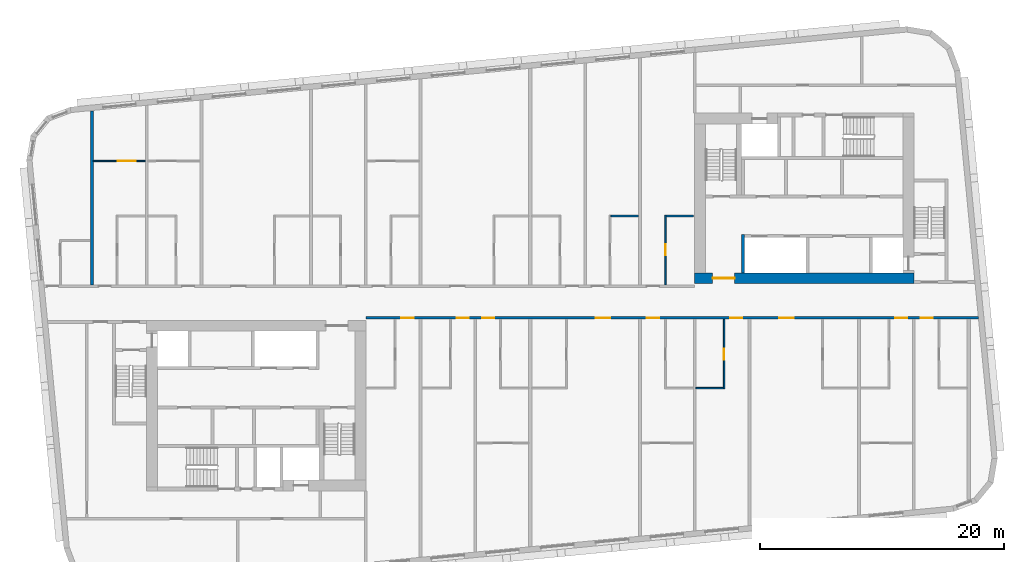
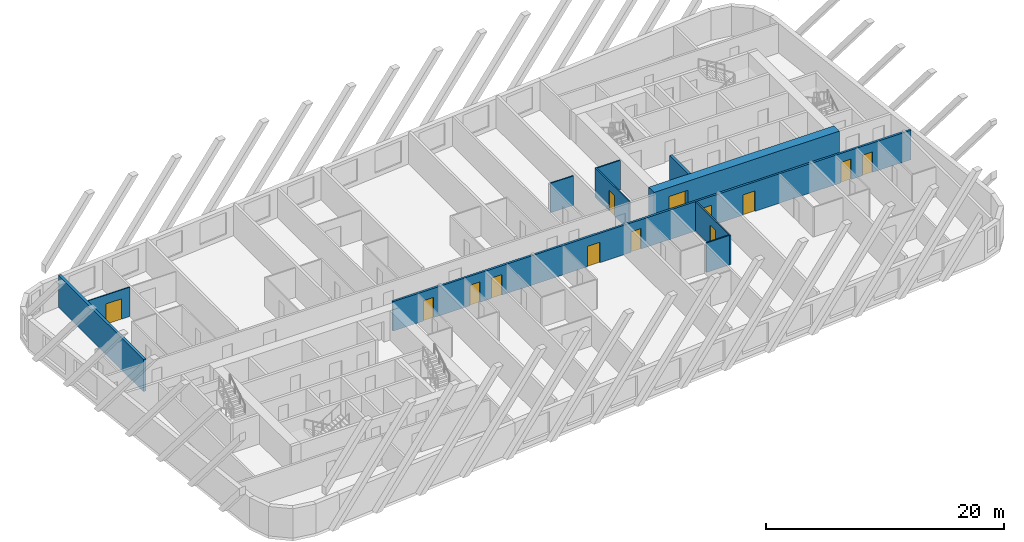
# One storey, part 5 of 13: 13 doors, 10 walls, 13 openings.
"""IFC4 building model written with IfcOpenShell, lengths in metres."""

from ifc_helpers import new_model, si_unit, direction, frame, frame_2d, origin, place, context, subcontext, project, spatial, rectangle, extrude, material, layer, layer_set, type_object, element, fill, save


model = new_model("IFC4")

# Units and contexts
model_context = context("Model", 3, precision=1e-05, world=origin(), true_north=direction((0.0, 1.0)))
body_context = subcontext(model_context, "Body", "Model", "MODEL_VIEW")
ifc_project = project(units=[si_unit("LENGTHUNIT", "METRE"), si_unit("AREAUNIT", "SQUARE_METRE"), si_unit("VOLUMEUNIT", "CUBIC_METRE"), si_unit("PLANEANGLEUNIT", "RADIAN"), si_unit("MASSUNIT", "GRAM", prefix="KILO")], contexts=[model_context])

# Site, building, storey
site_placement = place(None, origin())
site = spatial("IfcSite", under=ifc_project, at=site_placement, CompositionType="ELEMENT")
building_placement = place(site_placement, origin())
building = spatial("IfcBuilding", under=site, at=building_placement, Name="Kajstack Hotel Tower", CompositionType="ELEMENT")
storey_placement = place(building_placement, frame((0.0, 0.0, 298.199951171875)))
storey = spatial("IfcBuildingStorey", under=building, at=storey_placement, Name="L75", CompositionType="ELEMENT", Elevation=298.199951171875)

# Wall, opening, door
ifc_material_1 = material(Name="Concrete C60/75", Category="concrete")
ifc_layer_1 = layer(ifc_material_1, 0.89990234375)
ifc_layer_set_1 = layer_set([ifc_layer_1], Name="Core wall 900")
wall_type_1 = type_object("IfcWallType", Name="Core wall 900", PredefinedType="SHEAR", material=ifc_layer_set_1)
wall_1_placement = place(storey_placement, frame((13.5, 1.949951171875, 0.0), z_axis=(0.0, 0.0, 1.0), x_axis=(1.0, 0.0, 0.0)))
wall_1 = element("IfcWall", 1, at=wall_1_placement, inside=storey, type_object=wall_type_1, Name="Core wall E RN", PredefinedType="SHEAR", context=body_context, shape_type="SweptSolid", body=[
    extrude(rectangle(XDim=18.0, YDim=0.89990234375, at=frame_2d((9.0, 0.0))), origin(), (0.0, 0.0, 1.0), 3.02001953125),
])
opening_1_placement = place(wall_1_placement, frame((1.47509765625, 0.0, 0.0)))
opening_1 = element("IfcOpeningElement", 2, at=opening_1_placement, cuts=wall_1, Name="Opening 75E05", PredefinedType="OPENING", context=body_context, shape_type="SweptSolid", body=[
    extrude(rectangle(XDim=1.800048828125, YDim=2.10009765625, at=frame_2d((0.89990234375, 1.050048828125))), frame((0.0, 0.4599609375, 0.0), z_axis=(0.0, -1.0, 0.0), x_axis=(1.0, 0.0, 0.0)), (0.0, 0.0, 1.0), 0.919921875),
])
ifc_material_2 = material(Name="Glazed steel frame, fire-rated glass", Category="steel")
door_type_1 = type_object("IfcDoorType", Name="Lobby double door 1800", OperationType="DOUBLE_DOOR_DOUBLE_SWING", PredefinedType="DOOR", material=ifc_material_2)
door_1_placement = place(opening_1_placement, origin())
door_1 = element("IfcDoor", 3, at=door_1_placement, inside=storey, type_object=door_type_1, Name="Door 75E05", OperationType="DOUBLE_DOOR_DOUBLE_SWING", OverallHeight=2.10009765625, OverallWidth=1.800048828125, PredefinedType="DOOR", context=body_context, shape_type="SweptSolid", body=[
    extrude(rectangle(XDim=1.800048828125, YDim=2.10009765625, at=frame_2d((0.89990234375, 1.050048828125))), frame((0.0, 0.02490234375, 0.0), z_axis=(0.0, -1.0, 0.0), x_axis=(1.0, 0.0, 0.0)), (0.0, 0.0, 1.0), 0.050048828125),
])
fill(opening_1, door_1)

# Wall, openings, doors
ifc_material_3 = material(Name="Gypsum board on steel studs, mineral wool", Category="steel")
ifc_layer_2 = layer(ifc_material_3, 0.199951171875)
ifc_layer_set_2 = layer_set([ifc_layer_2], Name="Corridor wall 200")
wall_type_2 = type_object("IfcWallType", Name="Corridor wall 200", PredefinedType="PARTITIONING", material=ifc_layer_set_2)
wall_2_placement = place(storey_placement, frame((-13.5, -1.300048828125, 0.0), z_axis=(0.0, 0.0, 1.0), x_axis=(1.0, 0.0, 0.0)))
wall_2 = element("IfcWall", 4, at=wall_2_placement, inside=storey, type_object=wall_type_2, Name="G-wall-L75-030", PredefinedType="PARTITIONING", context=body_context, shape_type="SweptSolid", body=[
    extrude(rectangle(XDim=50.29296875, YDim=0.199951171875, at=frame_2d((25.146484375, 0.0))), origin(), (0.0, 0.0, 1.0), 3.02001953125),
])
opening_2_placement = place(wall_2_placement, frame((2.925048828125, 0.0, 0.0)))
opening_2 = element("IfcOpeningElement", 5, at=opening_2_placement, cuts=wall_2, Name="Opening 75024", PredefinedType="OPENING", context=body_context, shape_type="SweptSolid", body=[
    extrude(rectangle(XDim=1.0, YDim=2.10009765625, at=frame_2d((0.5, 1.050048828125))), frame((0.0, 0.10986328125, 0.0), z_axis=(0.0, -1.0, 0.0), x_axis=(1.0, 0.0, 0.0)), (0.0, 0.0, 1.0), 0.219970703125),
])
opening_3_placement = place(wall_2_placement, frame((7.449951171875, 0.0, 0.0)))
opening_3 = element("IfcOpeningElement", 6, at=opening_3_placement, cuts=wall_2, Name="Opening 75026", PredefinedType="OPENING", context=body_context, shape_type="SweptSolid", body=[
    extrude(rectangle(XDim=1.0, YDim=2.10009765625, at=frame_2d((0.5, 1.050048828125))), frame((0.0, 0.10986328125, 0.0), z_axis=(0.0, -1.0, 0.0), x_axis=(1.0, 0.0, 0.0)), (0.0, 0.0, 1.0), 0.219970703125),
])
opening_4_placement = place(wall_2_placement, frame((9.550048828125, 0.0, 0.0)))
opening_4 = element("IfcOpeningElement", 7, at=opening_4_placement, cuts=wall_2, Name="Opening 75028", PredefinedType="OPENING", context=body_context, shape_type="SweptSolid", body=[
    extrude(rectangle(XDim=1.0, YDim=2.10009765625, at=frame_2d((0.5, 1.050048828125))), frame((0.0, 0.10986328125, 0.0), z_axis=(0.0, -1.0, 0.0), x_axis=(1.0, 0.0, 0.0)), (0.0, 0.0, 1.0), 0.219970703125),
])
opening_5_placement = place(wall_2_placement, frame((18.862060546875, 0.0, 0.0)))
opening_5 = element("IfcOpeningElement", 8, at=opening_5_placement, cuts=wall_2, Name="Opening 75031", PredefinedType="OPENING", context=body_context, shape_type="SweptSolid", body=[
    extrude(rectangle(XDim=1.199951171875, YDim=2.10009765625, at=frame_2d((0.60009765625, 1.050048828125))), frame((0.0, 0.10986328125, 0.0), z_axis=(0.0, -1.0, 0.0), x_axis=(1.0, 0.0, 0.0)), (0.0, 0.0, 1.0), 0.219970703125),
])
opening_6_placement = place(wall_2_placement, frame((23.074951171875, 0.0, 0.0)))
opening_6 = element("IfcOpeningElement", 9, at=opening_6_placement, cuts=wall_2, Name="Opening 75033", PredefinedType="OPENING", context=body_context, shape_type="SweptSolid", body=[
    extrude(rectangle(XDim=1.0, YDim=2.10009765625, at=frame_2d((0.5, 1.050048828125))), frame((0.0, 0.10986328125, 0.0), z_axis=(0.0, -1.0, 0.0), x_axis=(1.0, 0.0, 0.0)), (0.0, 0.0, 1.0), 0.219970703125),
])
opening_7_placement = place(wall_2_placement, frame((29.925048828125, 0.0, 0.0)))
opening_7 = element("IfcOpeningElement", 10, at=opening_7_placement, cuts=wall_2, Name="Opening 75036", PredefinedType="OPENING", context=body_context, shape_type="SweptSolid", body=[
    extrude(rectangle(XDim=1.0, YDim=2.10009765625, at=frame_2d((0.5, 1.050048828125))), frame((0.0, 0.10986328125, 0.0), z_axis=(0.0, -1.0, 0.0), x_axis=(1.0, 0.0, 0.0)), (0.0, 0.0, 1.0), 0.219970703125),
])
opening_8_placement = place(wall_2_placement, frame((33.93798828125, 0.0, 0.0)))
opening_8 = element("IfcOpeningElement", 11, at=opening_8_placement, cuts=wall_2, Name="Opening 75038", PredefinedType="OPENING", context=body_context, shape_type="SweptSolid", body=[
    extrude(rectangle(XDim=1.199951171875, YDim=2.10009765625, at=frame_2d((0.60009765625, 1.050048828125))), frame((0.0, 0.10986328125, 0.0), z_axis=(0.0, -1.0, 0.0), x_axis=(1.0, 0.0, 0.0)), (0.0, 0.0, 1.0), 0.219970703125),
])
opening_9_placement = place(wall_2_placement, frame((43.449951171875, 0.0, 0.0)))
opening_9 = element("IfcOpeningElement", 12, at=opening_9_placement, cuts=wall_2, Name="Opening 75040", PredefinedType="OPENING", context=body_context, shape_type="SweptSolid", body=[
    extrude(rectangle(XDim=1.0, YDim=2.10009765625, at=frame_2d((0.5, 1.050048828125))), frame((0.0, 0.10986328125, 0.0), z_axis=(0.0, -1.0, 0.0), x_axis=(1.0, 0.0, 0.0)), (0.0, 0.0, 1.0), 0.219970703125),
])
opening_10_placement = place(wall_2_placement, frame((45.550048828125, 0.0, 0.0)))
opening_10 = element("IfcOpeningElement", 13, at=opening_10_placement, cuts=wall_2, Name="Opening 75043", PredefinedType="OPENING", context=body_context, shape_type="SweptSolid", body=[
    extrude(rectangle(XDim=1.0, YDim=2.10009765625, at=frame_2d((0.5, 1.050048828125))), frame((0.0, 0.10986328125, 0.0), z_axis=(0.0, -1.0, 0.0), x_axis=(1.0, 0.0, 0.0)), (0.0, 0.0, 1.0), 0.219970703125),
])
ifc_material_4 = material(Name="Oak veneer on timber core, fire-rated leaf", Category="wood")
door_type_2 = type_object("IfcDoorType", Name="Flat entrance door 1000", OperationType="SINGLE_SWING_LEFT", PredefinedType="DOOR", material=ifc_material_4)
door_2_placement = place(opening_2_placement, origin())
door_2 = element("IfcDoor", 14, at=door_2_placement, inside=storey, type_object=door_type_2, Name="G-door-L75-24", OperationType="SINGLE_SWING_RIGHT", OverallHeight=2.10009765625, OverallWidth=1.0, PredefinedType="DOOR", context=body_context, shape_type="SweptSolid", body=[
    extrude(rectangle(XDim=1.0, YDim=2.10009765625, at=frame_2d((0.5, 1.050048828125))), frame((0.0, 0.02490234375, 0.0), z_axis=(0.0, -1.0, 0.0), x_axis=(1.0, 0.0, 0.0)), (0.0, 0.0, 1.0), 0.050048828125),
])
fill(opening_2, door_2)
door_3_placement = place(opening_3_placement, origin())
door_3 = element("IfcDoor", 15, at=door_3_placement, inside=storey, type_object=door_type_2, Name="G-door-L75-26", OperationType="SINGLE_SWING_LEFT", OverallHeight=2.10009765625, OverallWidth=1.0, PredefinedType="DOOR", context=body_context, shape_type="SweptSolid", body=[
    extrude(rectangle(XDim=1.0, YDim=2.10009765625, at=frame_2d((0.5, 1.050048828125))), frame((0.0, 0.02490234375, 0.0), z_axis=(0.0, -1.0, 0.0), x_axis=(1.0, 0.0, 0.0)), (0.0, 0.0, 1.0), 0.050048828125),
])
fill(opening_3, door_3)
door_4_placement = place(opening_4_placement, origin())
door_4 = element("IfcDoor", 16, at=door_4_placement, inside=storey, type_object=door_type_2, Name="G-door-L75-28", OperationType="SINGLE_SWING_LEFT", OverallHeight=2.10009765625, OverallWidth=1.0, PredefinedType="DOOR", context=body_context, shape_type="SweptSolid", body=[
    extrude(rectangle(XDim=1.0, YDim=2.10009765625, at=frame_2d((0.5, 1.050048828125))), frame((0.0, 0.02490234375, 0.0), z_axis=(0.0, -1.0, 0.0), x_axis=(1.0, 0.0, 0.0)), (0.0, 0.0, 1.0), 0.050048828125),
])
fill(opening_4, door_4)
door_5_placement = place(opening_6_placement, origin())
door_5 = element("IfcDoor", 17, at=door_5_placement, inside=storey, type_object=door_type_2, Name="G-door-L75-33", OperationType="SINGLE_SWING_LEFT", OverallHeight=2.10009765625, OverallWidth=1.0, PredefinedType="DOOR", context=body_context, shape_type="SweptSolid", body=[
    extrude(rectangle(XDim=1.0, YDim=2.10009765625, at=frame_2d((0.5, 1.050048828125))), frame((0.0, 0.02490234375, 0.0), z_axis=(0.0, -1.0, 0.0), x_axis=(1.0, 0.0, 0.0)), (0.0, 0.0, 1.0), 0.050048828125),
])
fill(opening_6, door_5)
door_6_placement = place(opening_7_placement, origin())
door_6 = element("IfcDoor", 18, at=door_6_placement, inside=storey, type_object=door_type_2, Name="G-door-L75-36", OperationType="SINGLE_SWING_LEFT", OverallHeight=2.10009765625, OverallWidth=1.0, PredefinedType="DOOR", context=body_context, shape_type="SweptSolid", body=[
    extrude(rectangle(XDim=1.0, YDim=2.10009765625, at=frame_2d((0.5, 1.050048828125))), frame((0.0, 0.02490234375, 0.0), z_axis=(0.0, -1.0, 0.0), x_axis=(1.0, 0.0, 0.0)), (0.0, 0.0, 1.0), 0.050048828125),
])
fill(opening_7, door_6)
door_7_placement = place(opening_9_placement, origin())
door_7 = element("IfcDoor", 19, at=door_7_placement, inside=storey, type_object=door_type_2, Name="G-door-L75-40", OperationType="SINGLE_SWING_LEFT", OverallHeight=2.10009765625, OverallWidth=1.0, PredefinedType="DOOR", context=body_context, shape_type="SweptSolid", body=[
    extrude(rectangle(XDim=1.0, YDim=2.10009765625, at=frame_2d((0.5, 1.050048828125))), frame((0.0, 0.02490234375, 0.0), z_axis=(0.0, -1.0, 0.0), x_axis=(1.0, 0.0, 0.0)), (0.0, 0.0, 1.0), 0.050048828125),
])
fill(opening_9, door_7)
door_8_placement = place(opening_10_placement, origin())
door_8 = element("IfcDoor", 20, at=door_8_placement, inside=storey, type_object=door_type_2, Name="G-door-L75-43", OperationType="SINGLE_SWING_LEFT", OverallHeight=2.10009765625, OverallWidth=1.0, PredefinedType="DOOR", context=body_context, shape_type="SweptSolid", body=[
    extrude(rectangle(XDim=1.0, YDim=2.10009765625, at=frame_2d((0.5, 1.050048828125))), frame((0.0, 0.02490234375, 0.0), z_axis=(0.0, -1.0, 0.0), x_axis=(1.0, 0.0, 0.0)), (0.0, 0.0, 1.0), 0.050048828125),
])
fill(opening_10, door_8)
door_type_3 = type_object("IfcDoorType", Name="Flat entrance door 1200", OperationType="SINGLE_SWING_LEFT", PredefinedType="DOOR", material=ifc_material_4)
door_9_placement = place(opening_5_placement, origin())
door_9 = element("IfcDoor", 21, at=door_9_placement, inside=storey, type_object=door_type_3, Name="G-door-L75-31", OperationType="SINGLE_SWING_RIGHT", OverallHeight=2.10009765625, OverallWidth=1.199951171875, PredefinedType="DOOR", context=body_context, shape_type="SweptSolid", body=[
    extrude(rectangle(XDim=1.199951171875, YDim=2.10009765625, at=frame_2d((0.60009765625, 1.050048828125))), frame((0.0, 0.02490234375, 0.0), z_axis=(0.0, -1.0, 0.0), x_axis=(1.0, 0.0, 0.0)), (0.0, 0.0, 1.0), 0.050048828125),
])
fill(opening_5, door_9)
door_10_placement = place(opening_8_placement, origin())
door_10 = element("IfcDoor", 22, at=door_10_placement, inside=storey, type_object=door_type_3, Name="G-door-L75-38", OperationType="SINGLE_SWING_LEFT", OverallHeight=2.10009765625, OverallWidth=1.199951171875, PredefinedType="DOOR", context=body_context, shape_type="SweptSolid", body=[
    extrude(rectangle(XDim=1.199951171875, YDim=2.10009765625, at=frame_2d((0.60009765625, 1.050048828125))), frame((0.0, 0.02490234375, 0.0), z_axis=(0.0, -1.0, 0.0), x_axis=(1.0, 0.0, 0.0)), (0.0, 0.0, 1.0), 0.050048828125),
])
fill(opening_8, door_10)

# Wall
ifc_material_5 = material(Name="Gypsum board and tiled backer on steel studs", Category="steel")
ifc_layer_3 = layer(ifc_material_5, 0.125)
ifc_layer_set_3 = layer_set([ifc_layer_3], Name="En-suite wall 125")
wall_type_3 = type_object("IfcWallType", Name="En-suite wall 125", PredefinedType="PARTITIONING", material=ifc_layer_set_3)
wall_3_placement = place(storey_placement, frame((6.625, 7.06201171875, 0.0), z_axis=(0.0, 0.0, 1.0), x_axis=(1.0, 0.0, 0.0)))
element("IfcWall", 23, at=wall_3_placement, inside=storey, type_object=wall_type_3, Name="G-wall-L75-027", PredefinedType="PARTITIONING", context=body_context, shape_type="SweptSolid", body=[
    extrude(rectangle(XDim=2.25, YDim=0.125, at=frame_2d((1.125, 0.0))), origin(), (0.0, 0.0, 1.0), 3.02001953125),
])

# Wall, opening, door
wall_4_placement = place(storey_placement, frame((11.087890625, 1.39990234375, 0.0), z_axis=(0.0, 0.0, 1.0), x_axis=(0.0, 1.0, 0.0)))
wall_4 = element("IfcWall", 24, at=wall_4_placement, inside=storey, type_object=wall_type_3, Name="G-wall-L75-028", PredefinedType="PARTITIONING", context=body_context, shape_type="SweptSolid", body=[
    extrude(rectangle(XDim=5.72509765625, YDim=0.125, at=frame_2d((2.862548828125, 0.0))), origin(), (0.0, 0.0, 1.0), 3.02001953125),
])
opening_11_placement = place(wall_4_placement, frame((2.449951171875, 0.0, 0.0)))
opening_11 = element("IfcOpeningElement", 25, at=opening_11_placement, cuts=wall_4, Name="Opening 75023", PredefinedType="OPENING", context=body_context, shape_type="SweptSolid", body=[
    extrude(rectangle(XDim=0.89990234375, YDim=2.10009765625, at=frame_2d((0.449951171875, 1.050048828125))), frame((0.0, 0.072509765625, 0.0), z_axis=(0.0, -1.0, 0.0), x_axis=(1.0, 0.0, 0.0)), (0.0, 0.0, 1.0), 0.14501953125),
])
ifc_material_6 = material(Name="Painted timber door leaf", Category="wood")
door_type_4 = type_object("IfcDoorType", Name="Room door 900", OperationType="SINGLE_SWING_LEFT", PredefinedType="DOOR", material=ifc_material_6)
door_11_placement = place(opening_11_placement, origin())
door_11 = element("IfcDoor", 26, at=door_11_placement, inside=storey, type_object=door_type_4, Name="G-door-L75-23", OperationType="SINGLE_SWING_LEFT", OverallHeight=2.10009765625, OverallWidth=0.89990234375, PredefinedType="DOOR", context=body_context, shape_type="SweptSolid", body=[
    extrude(rectangle(XDim=0.89990234375, YDim=2.10009765625, at=frame_2d((0.449951171875, 1.050048828125))), frame((0.0, 0.02490234375, 0.0), z_axis=(0.0, -1.0, 0.0), x_axis=(1.0, 0.0, 0.0)), (0.0, 0.0, 1.0), 0.050048828125),
])
fill(opening_11, door_11)

# Wall
wall_5_placement = place(storey_placement, frame((11.14990234375, 7.06201171875, 0.0), z_axis=(0.0, 0.0, 1.0), x_axis=(1.0, 0.0, 0.0)))
element("IfcWall", 27, at=wall_5_placement, inside=storey, type_object=wall_type_3, Name="G-wall-L75-029", PredefinedType="PARTITIONING", context=body_context, shape_type="SweptSolid", body=[
    extrude(rectangle(XDim=2.25, YDim=0.125, at=frame_2d((1.125, 0.0))), origin(), (0.0, 0.0, 1.0), 3.02001953125),
])

# Wall, opening, door
wall_6_placement = place(storey_placement, frame((15.912109375, -7.125, 0.0), z_axis=(0.0, 0.0, 1.0), x_axis=(0.0, 1.0, 0.0)))
wall_6 = element("IfcWall", 28, at=wall_6_placement, inside=storey, type_object=wall_type_3, Name="G-wall-L75-045", PredefinedType="PARTITIONING", context=body_context, shape_type="SweptSolid", body=[
    extrude(rectangle(XDim=5.72509765625, YDim=0.125, at=frame_2d((2.862548828125, 0.0))), origin(), (0.0, 0.0, 1.0), 3.02001953125),
])
opening_12_placement = place(wall_6_placement, frame((2.375, 0.0, 0.0)))
opening_12 = element("IfcOpeningElement", 29, at=opening_12_placement, cuts=wall_6, Name="Opening 75037", PredefinedType="OPENING", context=body_context, shape_type="SweptSolid", body=[
    extrude(rectangle(XDim=0.89990234375, YDim=2.10009765625, at=frame_2d((0.449951171875, 1.050048828125))), frame((0.0, 0.072509765625, 0.0), z_axis=(0.0, -1.0, 0.0), x_axis=(1.0, 0.0, 0.0)), (0.0, 0.0, 1.0), 0.14501953125),
])
door_12_placement = place(opening_12_placement, origin())
door_12 = element("IfcDoor", 30, at=door_12_placement, inside=storey, type_object=door_type_4, Name="G-door-L75-37", OperationType="SINGLE_SWING_RIGHT", OverallHeight=2.10009765625, OverallWidth=0.89990234375, PredefinedType="DOOR", context=body_context, shape_type="SweptSolid", body=[
    extrude(rectangle(XDim=0.89990234375, YDim=2.10009765625, at=frame_2d((0.449951171875, 1.050048828125))), frame((0.0, 0.02490234375, 0.0), z_axis=(0.0, -1.0, 0.0), x_axis=(1.0, 0.0, 0.0)), (0.0, 0.0, 1.0), 0.050048828125),
])
fill(opening_12, door_12)

# Wall
wall_7_placement = place(storey_placement, frame((13.60009765625, -7.06201171875, 0.0), z_axis=(0.0, 0.0, 1.0), x_axis=(1.0, 0.0, 0.0)))
element("IfcWall", 31, at=wall_7_placement, inside=storey, type_object=wall_type_3, Name="G-wall-L75-046", PredefinedType="PARTITIONING", context=body_context, shape_type="SweptSolid", body=[
    extrude(rectangle(XDim=2.25, YDim=0.125, at=frame_2d((1.125, 0.0))), origin(), (0.0, 0.0, 1.0), 3.02001953125),
])

# Wall, opening, door
ifc_material_7 = material(Name="Gypsum board on steel studs", Category="steel")
ifc_layer_4 = layer(ifc_material_7, 0.10009765625)
ifc_layer_set_4 = layer_set([ifc_layer_4], Name="Partition 100")
wall_type_4 = type_object("IfcWallType", Name="Partition 100", PredefinedType="PARTITIONING", material=ifc_layer_set_4)
wall_8_placement = place(storey_placement, frame((-35.875, 11.574951171875, 0.0), z_axis=(0.0, 0.0, 1.0), x_axis=(1.0, 0.0, 0.0)))
wall_8 = element("IfcWall", 32, at=wall_8_placement, inside=storey, type_object=wall_type_4, Name="G-wall-L75-009", PredefinedType="PARTITIONING", context=body_context, shape_type="SweptSolid", body=[
    extrude(rectangle(XDim=4.27490234375, YDim=0.10009765625, at=frame_2d((2.137451171875, 0.0))), origin(), (0.0, 0.0, 1.0), 3.02001953125),
])
opening_13_placement = place(wall_8_placement, frame((1.988037109375, 0.0, 0.0)))
opening_13 = element("IfcOpeningElement", 33, at=opening_13_placement, cuts=wall_8, Name="Opening 75005", PredefinedType="OPENING", context=body_context, shape_type="SweptSolid", body=[
    extrude(rectangle(XDim=1.5, YDim=2.10009765625, at=frame_2d((0.75, 1.050048828125))), frame((0.0, 0.06005859375, 0.0), z_axis=(0.0, -1.0, 0.0), x_axis=(1.0, 0.0, 0.0)), (0.0, 0.0, 1.0), 0.1201171875),
])
ifc_material_8 = material(Name="Painted timber door leaves, glazed panels", Category="wood")
door_type_5 = type_object("IfcDoorType", Name="Double door 1500", OperationType="SINGLE_SWING_LEFT", PredefinedType="DOOR", material=ifc_material_8)
door_13_placement = place(opening_13_placement, origin())
door_13 = element("IfcDoor", 34, at=door_13_placement, inside=storey, type_object=door_type_5, Name="G-door-L75-05", OperationType="SINGLE_SWING_LEFT", OverallHeight=2.10009765625, OverallWidth=1.5, PredefinedType="DOOR", context=body_context, shape_type="SweptSolid", body=[
    extrude(rectangle(XDim=1.5, YDim=2.10009765625, at=frame_2d((0.75, 1.050048828125))), frame((0.0, 0.02490234375, 0.0), z_axis=(0.0, -1.0, 0.0), x_axis=(1.0, 0.0, 0.0)), (0.0, 0.0, 1.0), 0.050048828125),
])
fill(opening_13, door_13)

# Walls
ifc_material_9 = material(Name="Concrete C40/50", Category="concrete")
ifc_layer_5 = layer(ifc_material_9, 0.25)
ifc_layer_set_5 = layer_set([ifc_layer_5], Name="RC cross wall 250 C40/50")
wall_type_5 = type_object("IfcWallType", Name="RC cross wall 250 C40/50", PredefinedType="SHEAR", material=ifc_layer_set_5)
wall_9_placement = place(storey_placement, frame((-36.0, 1.39990234375, 0.0), z_axis=(0.0, 0.0, 1.0), x_axis=(0.0, 1.0, 0.0)))
element("IfcWall", 35, at=wall_9_placement, inside=storey, type_object=wall_type_5, Name="S-wall-L75-01", PredefinedType="SHEAR", context=body_context, shape_type="SweptSolid", body=[
    extrude(rectangle(XDim=14.29638671875, YDim=0.25, at=frame_2d((7.148193359375, 0.0))), origin(), (0.0, 0.0, 1.0), 3.300048828125),
])
ifc_material_10 = material(Name="Concrete C50/60", Category="concrete")
ifc_layer_6 = layer(ifc_material_10, 0.25)
ifc_layer_set_6 = layer_set([ifc_layer_6], Name="Shaft wall 250")
wall_type_6 = type_object("IfcWallType", Name="Shaft wall 250", PredefinedType="SHEAR", material=ifc_layer_set_6)
wall_10_placement = place(storey_placement, frame((17.47509765625, 2.39990234375, 0.0), z_axis=(0.0, 0.0, 1.0), x_axis=(0.0, 1.0, 0.0)))
element("IfcWall", 36, at=wall_10_placement, inside=storey, type_object=wall_type_6, Name="Core wall E AE", PredefinedType="SHEAR", context=body_context, shape_type="SweptSolid", body=[
    extrude(rectangle(XDim=3.150146484375, YDim=0.25, at=frame_2d((1.5751953125, 0.0))), origin(), (0.0, 0.0, 1.0), 3.02001953125),
])

save(model, "model.ifc")
